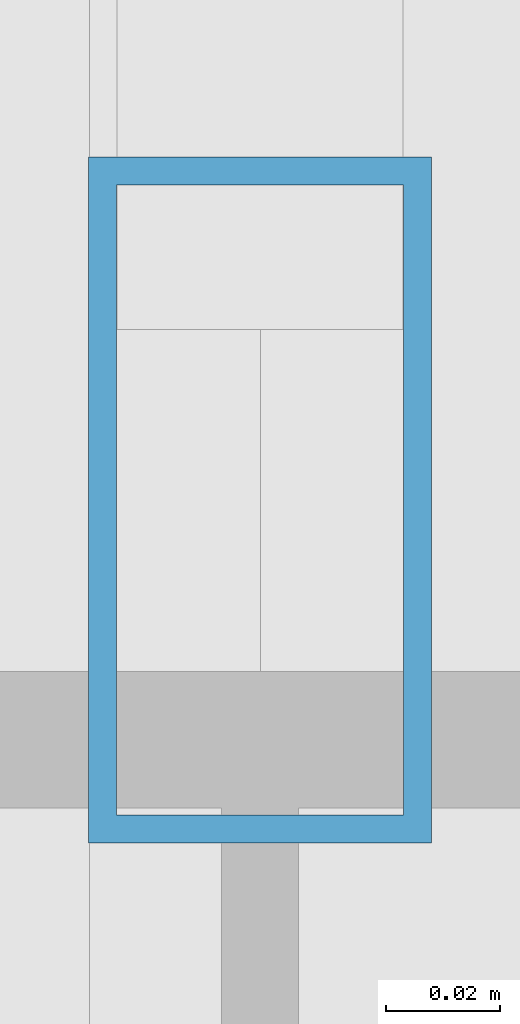
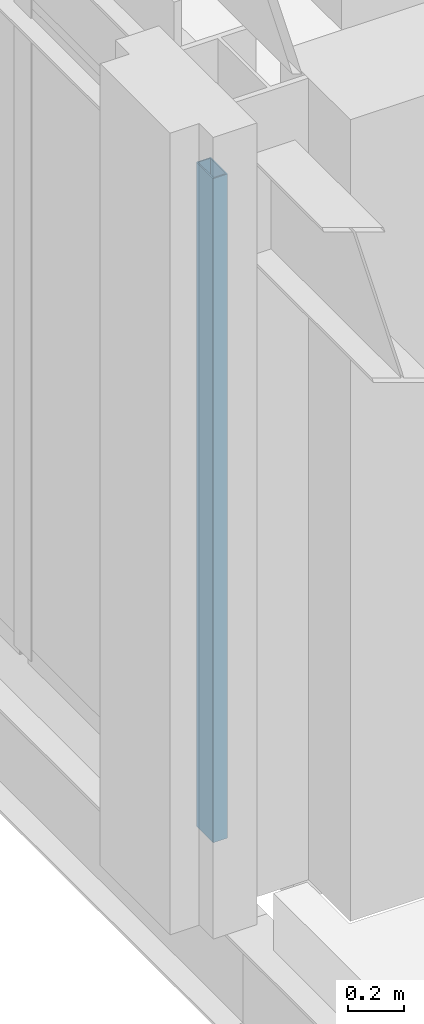
# One storey, part 4 of 31: 1 member, 1 element without a shape of its own.
"""IFC4 building model written with IfcOpenShell, lengths in metres."""

from ifc_helpers import new_model, si_unit, direction, frame, origin, origin_2d, place, context, subcontext, project, spatial, hollow_rectangle, extrude, material, material_profile, profile_set, type_object, element, aggregate, save


model = new_model("IFC4")

# Units and contexts
model_context = context("Model", 3, precision=1e-05, world=origin(), true_north=direction((0.0, 1.0)))
body_context = subcontext(model_context, "Body", "Model", "MODEL_VIEW")
ifc_project = project(units=[si_unit("LENGTHUNIT", "METRE"), si_unit("AREAUNIT", "SQUARE_METRE"), si_unit("VOLUMEUNIT", "CUBIC_METRE"), si_unit("PLANEANGLEUNIT", "RADIAN"), si_unit("MASSUNIT", "GRAM", prefix="KILO")], contexts=[model_context])

# Site, building, storey
site_placement = place(None, origin())
site = spatial("IfcSite", under=ifc_project, at=site_placement, CompositionType="ELEMENT")
building_placement = place(site_placement, origin())
building = spatial("IfcBuilding", under=site, at=building_placement, Name="Catenary Quay Ferry Terminal", CompositionType="ELEMENT")
storey_placement = place(building_placement, frame((0.0, 0.0, 20.60009765625)))
storey = spatial("IfcBuildingStorey", under=building, at=storey_placement, Name="L04", CompositionType="ELEMENT", Elevation=20.60009765625)

# Curtain wall, member
ifc_material_1 = material(Name="Aluminium and glass", Category="aluminium")
curtain_wall_type = type_object("IfcCurtainWallType", Name="CWW5", PredefinedType="NOTDEFINED", material=ifc_material_1)
curtain_wall_placement = place(storey_placement, origin())
curtain_wall = element("IfcCurtainWall", 1, at=curtain_wall_placement, inside=storey, type_object=curtain_wall_type, Name="Wing curtain wall CW154", PredefinedType="NOTDEFINED")
ifc_material_2 = material(Name="Aluminium", Category="aluminium")
ifc_material_profile = material_profile(ifc_material_2, hollow_rectangle(XDim=0.06005859375, YDim=0.1201171875, WallThickness=0.0048828125, at=origin_2d()), Name="MU4")
ifc_profile_set = profile_set([ifc_material_profile], Name="Aluminium")
member_type = type_object("IfcMemberType", Name="MU4", PredefinedType="MULLION", material=ifc_profile_set)
member_placement = place(storey_placement, frame((25.199951171875, 168.22998046875, 0.0), z_axis=(0.0, 0.0, 1.0), x_axis=(-1.0, 0.0, 0.0)))
member = element("IfcMember", 2, at=member_placement, type_object=member_type, Name="CW154 mullion 1", PredefinedType="MULLION", context=body_context, shape_type="SweptSolid", body=[
    extrude(hollow_rectangle(XDim=0.06005859375, YDim=0.1201171875, WallThickness=0.0048828125, at=origin_2d()), origin(), (0.0, 0.0, 1.0), 2.89990234375),
])
aggregate(curtain_wall, [member])

save(model, "model.ifc")
